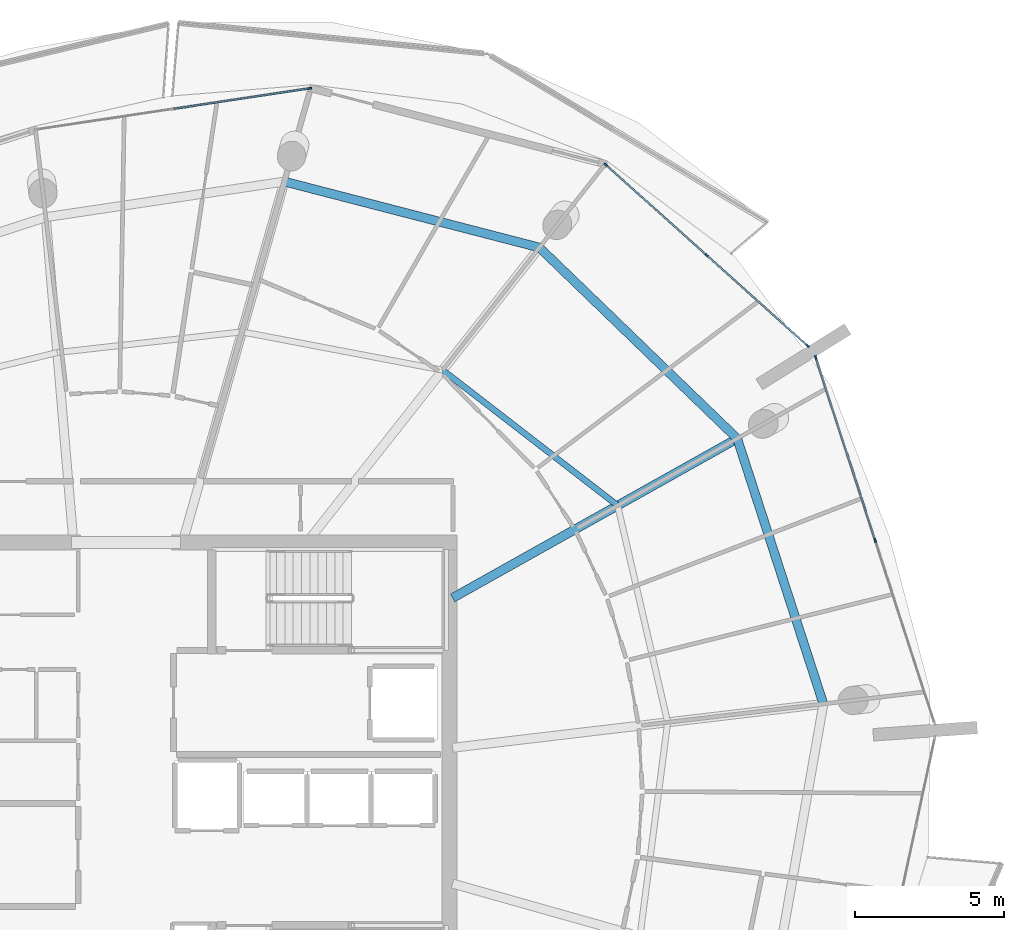
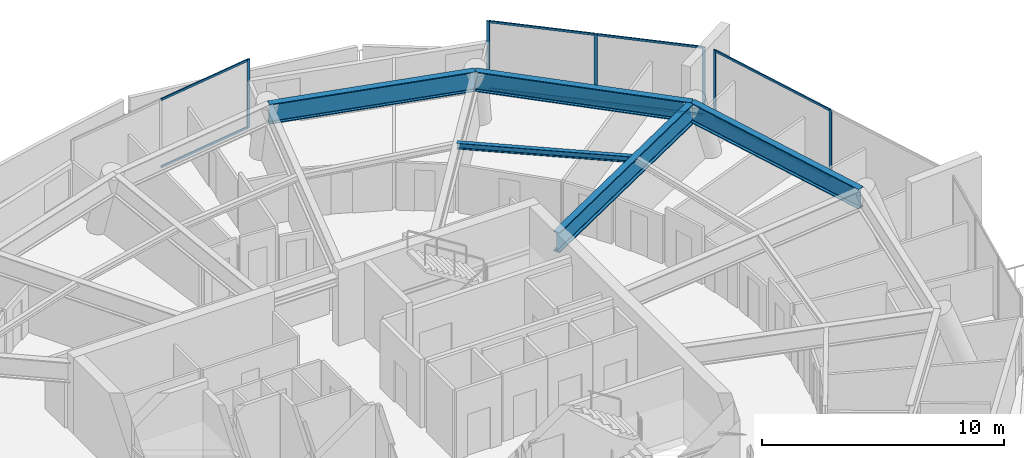
# One storey, part 12 of 24: 14 members, 5 beams, 3 elements without a shape of their own.
"""IFC4 building model written with IfcOpenShell, lengths in metres."""

from ifc_helpers import new_model, si_unit, direction, frame, origin, origin_2d, place, context, subcontext, project, spatial, rectangle, i_section, extrude, material, layer, layer_set, material_profile, profile_set, type_object, element, aggregate, save


model = new_model("IFC4")

# Units and contexts
model_context = context("Model", 3, precision=1e-05, world=origin(), true_north=direction((0.0, 1.0)))
body_context = subcontext(model_context, "Body", "Model", "MODEL_VIEW")
ifc_project = project(units=[si_unit("LENGTHUNIT", "METRE"), si_unit("AREAUNIT", "SQUARE_METRE"), si_unit("VOLUMEUNIT", "CUBIC_METRE"), si_unit("PLANEANGLEUNIT", "RADIAN"), si_unit("MASSUNIT", "GRAM", prefix="KILO")], contexts=[model_context])

# Site, building, storey
site_placement = place(None, origin())
site = spatial("IfcSite", under=ifc_project, at=site_placement, CompositionType="ELEMENT")
building_placement = place(site_placement, origin())
building = spatial("IfcBuilding", under=site, at=building_placement, Name="Kazma Halo Residences", CompositionType="ELEMENT")
storey_placement = place(building_placement, frame((0.0, 0.0, 309.85009765625)))
storey = spatial("IfcBuildingStorey", under=building, at=storey_placement, Name="L78", CompositionType="ELEMENT", Elevation=309.85009765625)

# Beams
ifc_material_1 = material(Name="Steel S355", Category="steel")
ifc_material_profile_1 = material_profile(ifc_material_1, i_section(OverallWidth=0.202880859375, OverallDepth=0.302978515625, WebThickness=0.007568359375, FlangeThickness=0.01318359375, FilletRadius=0.013916015625, at=origin_2d()), Name="W310x60")
ifc_profile_set_1 = profile_set([ifc_material_profile_1], Name="Steel S355")
beam_type_1 = type_object("IfcBeamType", Name="BM-SEC-W310A", PredefinedType="JOIST", material=ifc_profile_set_1)
beam_1_placement = place(storey_placement, frame((64.94677734375, 51.490478515625, 3.29833984375), z_axis=(-0.790875999212, 0.611976432447, 0.0), x_axis=(-0.611976432447, -0.790875999212, 0.0)))
element("IfcBeam", 1, at=beam_1_placement, inside=storey, type_object=beam_type_1, Name="L78 circumferential floor joist 01", PredefinedType="JOIST", context=body_context, shape_type="SweptSolid", body=[
    extrude(i_section(OverallWidth=0.202880859375, OverallDepth=0.302978515625, WebThickness=0.007568359375, FlangeThickness=0.01318359375, FilletRadius=0.013916015625, at=origin_2d()), origin(), (0.0, 0.0, 1.0), 7.433349609375),
])
ifc_material_profile_2 = material_profile(ifc_material_1, i_section(OverallWidth=0.302001953125, OverallDepth=1.01806640625, WebThickness=0.021484375, FlangeThickness=0.049072265625, FilletRadius=0.028076171875, at=origin_2d()), Name="W1000x443")
ifc_profile_set_2 = profile_set([ifc_material_profile_2], Name="Steel S355")
beam_type_2 = type_object("IfcBeamType", Name="BM-TRANS-W1000A", PredefinedType="BEAM", material=ifc_profile_set_2)
beam_2_placement = place(storey_placement, frame((59.39990234375, 48.38427734375, 2.94091796875), z_axis=(0.872499558985, 0.488614899047, 0.0), x_axis=(-0.488614899047, 0.872499558985, 0.0)))
element("IfcBeam", 2, at=beam_2_placement, inside=storey, type_object=beam_type_2, Name="L78 podium radial transfer girder 01", PredefinedType="BEAM", context=body_context, shape_type="SweptSolid", body=[
    extrude(i_section(OverallWidth=0.302001953125, OverallDepth=1.01806640625, WebThickness=0.021484375, FlangeThickness=0.049072265625, FilletRadius=0.028076171875, at=origin_2d()), origin(), (0.0, 0.0, 1.0), 10.9609375),
])
ifc_material_profile_3 = material_profile(ifc_material_1, i_section(OverallWidth=0.300048828125, OverallDepth=1.0, WebThickness=0.01904296875, FlangeThickness=0.0400390625, FilletRadius=0.02587890625, at=origin_2d()), Name="W1000x371")
ifc_profile_set_3 = profile_set([ifc_material_profile_3], Name="Steel S355")
beam_type_3 = type_object("IfcBeamType", Name="BM-TRANS-W1000B", PredefinedType="BEAM", material=ifc_profile_set_3)
beam_3_placement = place(storey_placement, frame((68.96337890625, 53.739990234375, 2.949951171875), z_axis=(-0.71933681628, 0.694661460529, 0.0), x_axis=(-0.694661460529, -0.71933681628, 0.0)))
element("IfcBeam", 3, at=beam_3_placement, inside=storey, type_object=beam_type_3, Name="L78 perimeter ring beam 01", PredefinedType="BEAM", context=body_context, shape_type="SweptSolid", body=[
    extrude(i_section(OverallWidth=0.300048828125, OverallDepth=1.0, WebThickness=0.01904296875, FlangeThickness=0.0400390625, FilletRadius=0.02587890625, at=origin_2d()), origin(), (0.0, 0.0, 1.0), 9.2412109375),
])
beam_4_placement = place(storey_placement, frame((62.31591796875, 60.159423828125, 2.949951171875), z_axis=(-0.968124082793, 0.250471076805, 0.0), x_axis=(-0.250471076805, -0.968124082793, 0.0)))
element("IfcBeam", 4, at=beam_4_placement, inside=storey, type_object=beam_type_3, Name="L78 perimeter ring beam 02", PredefinedType="BEAM", context=body_context, shape_type="SweptSolid", body=[
    extrude(i_section(OverallWidth=0.300048828125, OverallDepth=1.0, WebThickness=0.01904296875, FlangeThickness=0.0400390625, FilletRadius=0.02587890625, at=origin_2d()), origin(), (0.0, 0.0, 1.0), 8.8515625),
])
beam_5_placement = place(storey_placement, frame((71.8603515625, 44.82421875, 2.949951171875), z_axis=(-0.309023062674, 0.951054544564, 0.0), x_axis=(-0.951054544564, -0.309023062674, 0.0)))
element("IfcBeam", 5, at=beam_5_placement, inside=storey, type_object=beam_type_3, Name="L78 perimeter ring beam 16", PredefinedType="BEAM", context=body_context, shape_type="SweptSolid", body=[
    extrude(i_section(OverallWidth=0.300048828125, OverallDepth=1.0, WebThickness=0.01904296875, FlangeThickness=0.0400390625, FilletRadius=0.02587890625, at=origin_2d()), origin(), (0.0, 0.0, 1.0), 9.37451171875),
])

# Curtain wall, members
ifc_material_2 = material(Name="Aluminium AW-6063 T6 and Triple-Silver Low-E Glass", Category="aluminium")
ifc_layer = layer(ifc_material_2, 0.139892578125)
ifc_layer_set = layer_set([ifc_layer], Name="Aluminium AW-6063 T6 and Triple-Silver Low-E Glass")
curtain_wall_type = type_object("IfcCurtainWallType", Name="CW-SYS-5", PredefinedType="NOTDEFINED", material=ifc_layer_set)
curtain_wall_1_placement = place(storey_placement, origin())
curtain_wall_1 = element("IfcCurtainWall", 6, at=curtain_wall_1_placement, inside=storey, type_object=curtain_wall_type, Name="L78 unitised curtain wall B01", PredefinedType="NOTDEFINED")
ifc_material_3 = material(Name="Aluminium AW-6063 T6", Category="aluminium")
ifc_material_profile_4 = material_profile(ifc_material_3, rectangle(XDim=0.06005859375, YDim=0.139892578125, at=origin_2d()), Name="CWM-60x140")
ifc_profile_set_4 = profile_set([ifc_material_profile_4], Name="Aluminium AW-6063 T6")
member_type_1 = type_object("IfcMemberType", Name="CW-SYS-5-MUL", PredefinedType="MULLION", material=ifc_profile_set_4)
member_1_placement = place(storey_placement, frame((71.322998046875, 56.864013671875, 0.0), z_axis=(0.0, 0.0, 1.0), x_axis=(-0.667775956013, -0.744362326136, 0.0)))
member_1 = element("IfcMember", 7, at=member_1_placement, type_object=member_type_1, Name="CWS-5 mullion 1", PredefinedType="MULLION", context=body_context, shape_type="SweptSolid", body=[
    extrude(rectangle(XDim=0.06005859375, YDim=0.139892578125, at=origin_2d()), origin(), (0.0, 0.0, 1.0), 3.449951171875),
])
member_2_placement = place(storey_placement, frame((67.935302734375, 59.903076171875, 0.0), z_axis=(0.0, 0.0, 1.0), x_axis=(-0.667775956013, -0.744362326136, 0.0)))
member_2 = element("IfcMember", 8, at=member_2_placement, type_object=member_type_1, Name="CWS-5 mullion 2", PredefinedType="MULLION", context=body_context, shape_type="SweptSolid", body=[
    extrude(rectangle(XDim=0.06005859375, YDim=0.139892578125, at=origin_2d()), origin(), (0.0, 0.0, 1.0), 3.449951171875),
])
member_3_placement = place(storey_placement, frame((64.5478515625, 62.9423828125, 0.0), z_axis=(0.0, 0.0, 1.0), x_axis=(-0.667775956013, -0.744362326136, 0.0)))
member_3 = element("IfcMember", 9, at=member_3_placement, type_object=member_type_1, Name="CWS-5 mullion 3", PredefinedType="MULLION", context=body_context, shape_type="SweptSolid", body=[
    extrude(rectangle(XDim=0.06005859375, YDim=0.139892578125, at=origin_2d()), origin(), (0.0, 0.0, 1.0), 3.449951171875),
])

# Curtain wall, member
curtain_wall_2_placement = place(storey_placement, origin())
curtain_wall_2 = element("IfcCurtainWall", 10, at=curtain_wall_2_placement, inside=storey, type_object=curtain_wall_type, Name="L78 unitised curtain wall B03", PredefinedType="NOTDEFINED")
member_4_placement = place(storey_placement, frame((54.601318359375, 65.50732421875, 0.0), z_axis=(0.0, 0.0, 1.0), x_axis=(0.148804170229, -0.9888666841, 0.0)))
member_4 = element("IfcMember", 11, at=member_4_placement, type_object=member_type_1, Name="CWS-5 mullion 1", PredefinedType="MULLION", context=body_context, shape_type="SweptSolid", body=[
    extrude(rectangle(XDim=0.06005859375, YDim=0.139892578125, at=origin_2d()), origin(), (0.0, 0.0, 1.0), 3.449951171875),
])

# Curtain wall, members
curtain_wall_3_placement = place(storey_placement, origin())
curtain_wall_3 = element("IfcCurtainWall", 12, at=curtain_wall_3_placement, inside=storey, type_object=curtain_wall_type, Name="L78 unitised curtain wall B16", PredefinedType="NOTDEFINED")
member_5_placement = place(storey_placement, frame((73.60009765625, 50.318115234375, 0.0), z_axis=(0.0, 0.0, 1.0), x_axis=(-0.951056835679, -0.309016011411, 0.0)))
member_5 = element("IfcMember", 13, at=member_5_placement, type_object=member_type_1, Name="CWS-5 mullion 2", PredefinedType="MULLION", context=body_context, shape_type="SweptSolid", body=[
    extrude(rectangle(XDim=0.06005859375, YDim=0.139892578125, at=origin_2d()), origin(), (0.0, 0.0, 1.0), 3.449951171875),
])
member_6_placement = place(storey_placement, frame((71.604736328125, 56.459228515625, 0.0), z_axis=(0.0, 0.0, 1.0), x_axis=(-0.951056835679, -0.309016011411, 0.0)))
member_6 = element("IfcMember", 14, at=member_6_placement, type_object=member_type_1, Name="CWS-5 mullion 3", PredefinedType="MULLION", context=body_context, shape_type="SweptSolid", body=[
    extrude(rectangle(XDim=0.06005859375, YDim=0.139892578125, at=origin_2d()), origin(), (0.0, 0.0, 1.0), 3.449951171875),
])

# Member
ifc_material_profile_5 = material_profile(ifc_material_3, rectangle(XDim=0.06005859375, YDim=0.10498046875, at=origin_2d()), Name="CWT-60x105")
ifc_profile_set_5 = profile_set([ifc_material_profile_5], Name="Aluminium AW-6063 T6")
member_type_2 = type_object("IfcMemberType", Name="CW-SYS-5-TRN", PredefinedType="USERDEFINED", material=ifc_profile_set_5)
member_7_placement = place(storey_placement, frame((71.30078125, 56.884033203125, 0.02978515625), z_axis=(-0.744366295692, 0.667771531168, 0.0), x_axis=(-0.667771531168, -0.744366295692, 0.0)))
member_7 = element("IfcMember", 15, at=member_7_placement, type_object=member_type_2, Name="CWS-5 transom 1.1", ObjectType="TRANSOM", PredefinedType="USERDEFINED", context=body_context, shape_type="SweptSolid", body=[
    extrude(rectangle(XDim=0.06005859375, YDim=0.10498046875, at=origin_2d()), origin(), (0.0, 0.0, 1.0), 4.4912109375),
])

member_8_placement = place(storey_placement, frame((71.30078125, 56.884033203125, 3.419921875), z_axis=(-0.744366295692, 0.667771531168, 0.0), x_axis=(-0.667771531168, -0.744366295692, 0.0)))
member_8 = element("IfcMember", 16, at=member_8_placement, type_object=member_type_2, Name="CWS-5 transom 1.2", ObjectType="TRANSOM", PredefinedType="USERDEFINED", context=body_context, shape_type="SweptSolid", body=[
    extrude(rectangle(XDim=0.06005859375, YDim=0.10498046875, at=origin_2d()), origin(), (0.0, 0.0, 1.0), 4.4912109375),
])

member_9_placement = place(storey_placement, frame((67.9130859375, 59.923095703125, 0.02978515625), z_axis=(-0.744366295692, 0.667771531168, 0.0), x_axis=(-0.667771531168, -0.744366295692, 0.0)))
member_9 = element("IfcMember", 17, at=member_9_placement, type_object=member_type_2, Name="CWS-5 transom 2.1", ObjectType="TRANSOM", PredefinedType="USERDEFINED", context=body_context, shape_type="SweptSolid", body=[
    extrude(rectangle(XDim=0.06005859375, YDim=0.10498046875, at=origin_2d()), origin(), (0.0, 0.0, 1.0), 4.4912109375),
])

member_10_placement = place(storey_placement, frame((67.9130859375, 59.923095703125, 3.419921875), z_axis=(-0.744366295692, 0.667771531168, 0.0), x_axis=(-0.667771531168, -0.744366295692, 0.0)))
member_10 = element("IfcMember", 18, at=member_10_placement, type_object=member_type_2, Name="CWS-5 transom 2.2", ObjectType="TRANSOM", PredefinedType="USERDEFINED", context=body_context, shape_type="SweptSolid", body=[
    extrude(rectangle(XDim=0.06005859375, YDim=0.10498046875, at=origin_2d()), origin(), (0.0, 0.0, 1.0), 4.4912109375),
])

aggregate(curtain_wall_1, [member_1, member_2, member_3, member_7, member_8, member_9, member_10])

member_11_placement = place(storey_placement, frame((54.57177734375, 65.502685546875, 0.02978515625), z_axis=(-0.988871447751, -0.148772510306, 0.0), x_axis=(0.148772510306, -0.988871447751, 0.0)))
member_11 = element("IfcMember", 19, at=member_11_placement, type_object=member_type_2, Name="CWS-5 transom 1.1", ObjectType="TRANSOM", PredefinedType="USERDEFINED", context=body_context, shape_type="SweptSolid", body=[
    extrude(rectangle(XDim=0.06005859375, YDim=0.10498046875, at=origin_2d()), origin(), (0.0, 0.0, 1.0), 4.586669921875),
])

member_12_placement = place(storey_placement, frame((54.57177734375, 65.502685546875, 3.419921875), z_axis=(-0.988871447751, -0.148772510306, 0.0), x_axis=(0.148772510306, -0.988871447751, 0.0)))
member_12 = element("IfcMember", 20, at=member_12_placement, type_object=member_type_2, Name="CWS-5 transom 1.2", ObjectType="TRANSOM", PredefinedType="USERDEFINED", context=body_context, shape_type="SweptSolid", body=[
    extrude(rectangle(XDim=0.06005859375, YDim=0.10498046875, at=origin_2d()), origin(), (0.0, 0.0, 1.0), 4.586669921875),
])

aggregate(curtain_wall_2, [member_4, member_11, member_12])

member_13_placement = place(storey_placement, frame((73.5908203125, 50.346435546875, 0.02978515625), z_axis=(-0.309005818912, 0.951060147351, 0.0), x_axis=(-0.951060147351, -0.309005818912, 0.0)))
member_13 = element("IfcMember", 21, at=member_13_placement, type_object=member_type_2, Name="CWS-5 transom 2.1", ObjectType="TRANSOM", PredefinedType="USERDEFINED", context=body_context, shape_type="SweptSolid", body=[
    extrude(rectangle(XDim=0.06005859375, YDim=0.10498046875, at=origin_2d()), origin(), (0.0, 0.0, 1.0), 6.397216796875),
])

member_14_placement = place(storey_placement, frame((73.5908203125, 50.346435546875, 3.419921875), z_axis=(-0.309005818912, 0.951060147351, 0.0), x_axis=(-0.951060147351, -0.309005818912, 0.0)))
member_14 = element("IfcMember", 22, at=member_14_placement, type_object=member_type_2, Name="CWS-5 transom 2.2", ObjectType="TRANSOM", PredefinedType="USERDEFINED", context=body_context, shape_type="SweptSolid", body=[
    extrude(rectangle(XDim=0.06005859375, YDim=0.10498046875, at=origin_2d()), origin(), (0.0, 0.0, 1.0), 6.397216796875),
])

aggregate(curtain_wall_3, [member_5, member_6, member_13, member_14])

save(model, "model.ifc")
